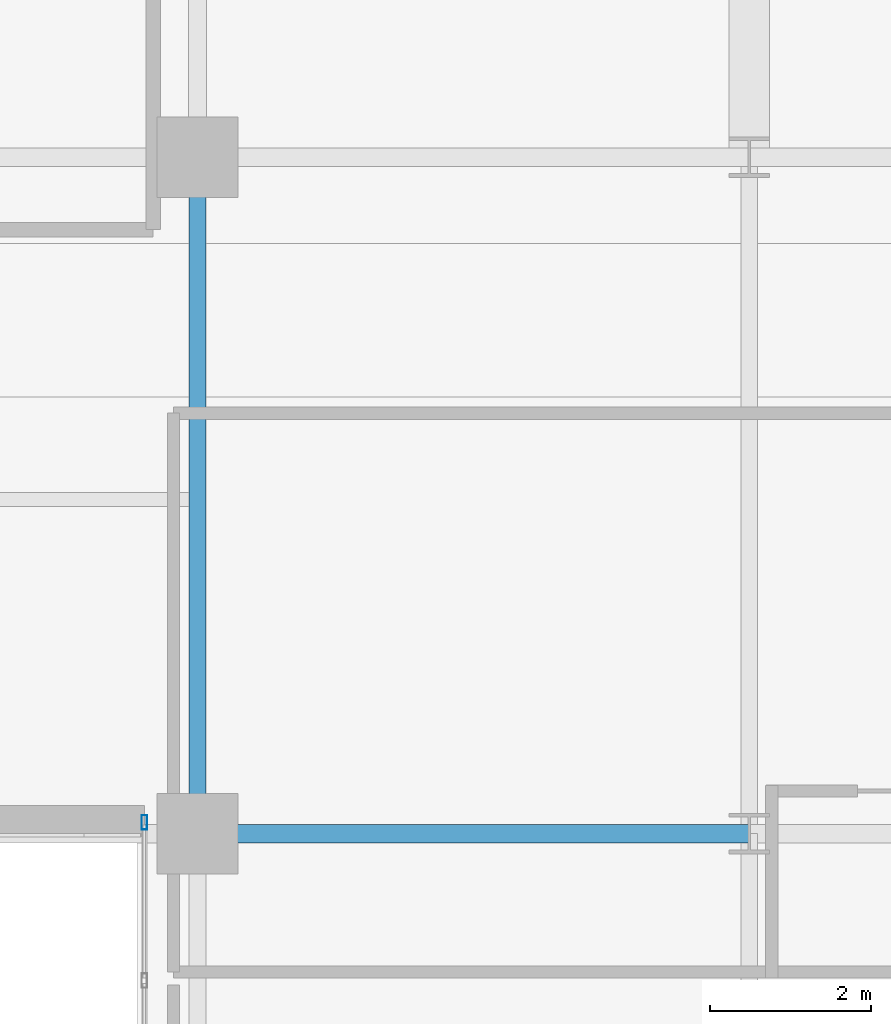
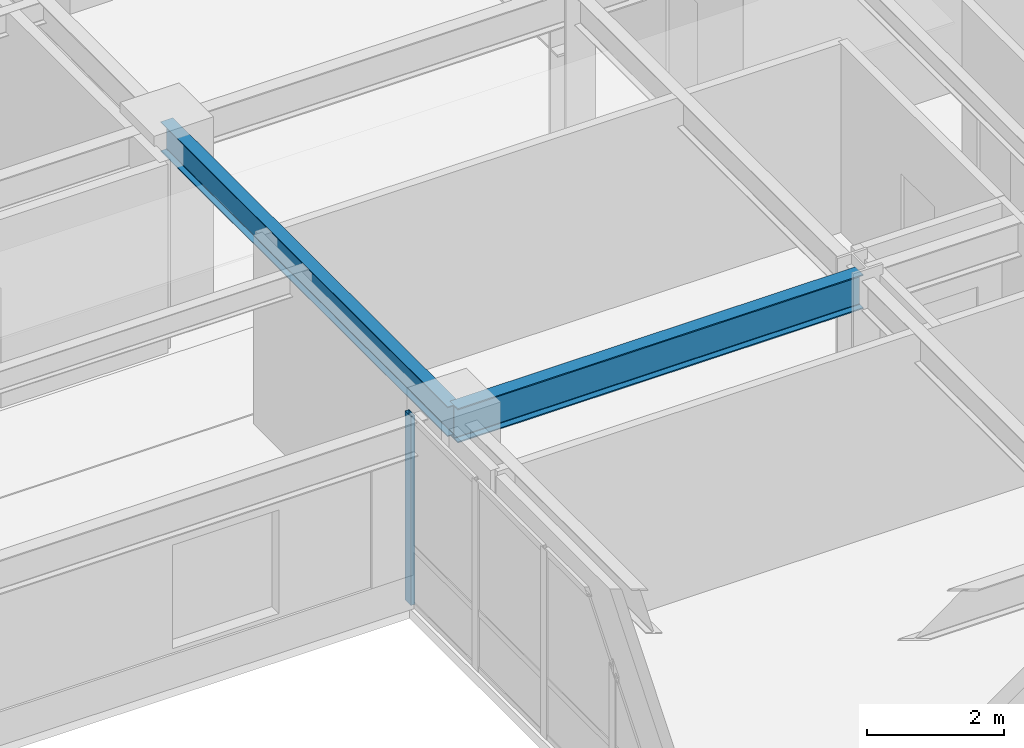
# One storey, part 11 of 25: 2 beams, 1 member, 1 element without a shape of its own.
"""IFC4 building model written with IfcOpenShell, lengths in metres."""

from ifc_helpers import new_model, si_unit, direction, frame, origin, origin_2d, place, context, subcontext, project, spatial, hollow_rectangle, i_section, extrude, source, transform, mapped, material, layer, layer_set, material_profile, profile_set, type_object, type_shapes, element, aggregate, save


model = new_model("IFC4")

# Units and contexts
model_context = context("Model", 3, precision=1e-05, world=origin(), true_north=direction((0.0, 1.0)))
body_context = subcontext(model_context, "Body", "Model", "MODEL_VIEW")
ifc_project = project(units=[si_unit("LENGTHUNIT", "METRE"), si_unit("AREAUNIT", "SQUARE_METRE"), si_unit("VOLUMEUNIT", "CUBIC_METRE"), si_unit("PLANEANGLEUNIT", "RADIAN"), si_unit("MASSUNIT", "GRAM", prefix="KILO")], contexts=[model_context])

# Site, building, storey
site_placement = place(None, origin())
site = spatial("IfcSite", under=ifc_project, at=site_placement, CompositionType="ELEMENT")
building_placement = place(site_placement, origin())
building = spatial("IfcBuilding", under=site, at=building_placement, Name="Tolvann Quenvar Hotel", CompositionType="ELEMENT")
storey_placement = place(building_placement, frame((0.0, 0.0, 39.10009765625)))
storey = spatial("IfcBuildingStorey", under=building, at=storey_placement, Name="L08", CompositionType="ELEMENT", Elevation=39.10009765625)

# Beams
ifc_material_1 = material(Name="Steel Grade 350", Category="steel")
ifc_material_profile_1 = material_profile(ifc_material_1, i_section(OverallWidth=0.22900390625, OverallDepth=0.612060546875, WebThickness=0.011962890625, FlangeThickness=0.01953125, FilletRadius=0.013916015625, at=origin_2d()), Name="610UB125")
ifc_profile_set_1 = profile_set([ifc_material_profile_1], Name="Steel Grade 350")
beam_type_1 = type_object("IfcBeamType", Name="BM_GIRD_610UB125", PredefinedType="BEAM", material=ifc_profile_set_1)
shared_shape_1 = source(origin(), body_context, "Body", "SweptSolid", [
    extrude(i_section(OverallWidth=0.22900390625, OverallDepth=0.612060546875, WebThickness=0.011962890625, FlangeThickness=0.01953125, FilletRadius=0.013916015625, at=origin_2d()), origin(), (0.0, 0.0, 1.0), 6.85009765625),
])
type_shapes(beam_type_1, [shared_shape_1])
beam_1_placement = place(storey_placement, frame((34.949951171875, 16.0, 3.06396484375), z_axis=(1.0, 0.0, 0.0), x_axis=(0.0, 1.0, 0.0)))
element("IfcBeam", 1, at=beam_1_placement, inside=storey, type_object=beam_type_1, Name="BM-L08-EW-4-F4-H4", PredefinedType="BEAM", context=body_context, shape_type="MappedRepresentation", body=[
    mapped(shared_shape_1, transform((0.0, 0.0, 0.0), x_axis=(1.0, 0.0, 0.0), y_axis=(0.0, 1.0, 0.0), z_axis=(0.0, 0.0, 1.0), scale=1.0)),
])
ifc_material_profile_2 = material_profile(ifc_material_1, i_section(OverallWidth=0.208984375, OverallDepth=0.532958984375, WebThickness=0.01025390625, FlangeThickness=0.015625, FilletRadius=0.013916015625, at=origin_2d()), Name="530UB92")
ifc_profile_set_2 = profile_set([ifc_material_profile_2], Name="Steel Grade 350")
beam_type_2 = type_object("IfcBeamType", Name="BM_GIRD_530UB92", PredefinedType="BEAM", material=ifc_profile_set_2)
shared_shape_2 = source(origin(), body_context, "Body", "SweptSolid", [
    extrude(i_section(OverallWidth=0.208984375, OverallDepth=0.532958984375, WebThickness=0.01025390625, FlangeThickness=0.015625, FilletRadius=0.013916015625, at=origin_2d()), origin(), (0.0, 0.0, 1.0), 8.39990234375),
])
type_shapes(beam_type_2, [shared_shape_2])
beam_2_placement = place(storey_placement, frame((34.949951171875, 16.0, 3.103515625), z_axis=(0.0, 1.0, 0.0), x_axis=(-1.0, 0.0, 0.0)))
element("IfcBeam", 2, at=beam_2_placement, inside=storey, type_object=beam_type_2, Name="BM-L08-NS-F4-F5", PredefinedType="BEAM", context=body_context, shape_type="MappedRepresentation", body=[
    mapped(shared_shape_2, transform((0.0, 0.0, 0.0), x_axis=(1.0, 0.0, 0.0), y_axis=(0.0, 1.0, 0.0), z_axis=(0.0, 0.0, 1.0), scale=1.0)),
])

# Curtain wall, member
ifc_material_2 = material(Name="Thermally broken anodised architectural aluminium 6063-T6 and laminated low-E glass", Category="aluminium")
ifc_layer = layer(ifc_material_2, 0.179931640625)
ifc_layer_set = layer_set([ifc_layer], Name="Thermally broken anodised architectural aluminium 6063-T6 and laminated low-E glass")
curtain_wall_type = type_object("IfcCurtainWallType", Name="CW_SYS_SLOT_03", PredefinedType="USERDEFINED", material=ifc_layer_set)
curtain_wall_placement = place(storey_placement, origin())
curtain_wall = element("IfcCurtainWall", 3, at=curtain_wall_placement, inside=storey, type_object=curtain_wall_type, Name="Curtain Wall CW-SLOT-03 (CWR-L08-E07)", ObjectType="UNITISED CURTAIN WALL", PredefinedType="USERDEFINED")
ifc_material_3 = material(Name="Anodised architectural aluminium 6063-T6 framing", Category="aluminium")
ifc_material_profile_3 = material_profile(ifc_material_3, hollow_rectangle(XDim=0.070068359375, YDim=0.179931640625, WallThickness=0.00390625, at=origin_2d()), Name="180x70x4RHS")
ifc_profile_set_3 = profile_set([ifc_material_profile_3], Name="Anodised architectural aluminium 6063-T6 framing")
member_type = type_object("IfcMemberType", Name="CW_MULL_180x70", PredefinedType="MULLION", material=ifc_profile_set_3)
shared_shape_3 = source(origin(), body_context, "Body", "SweptSolid", [
    extrude(hollow_rectangle(XDim=0.070068359375, YDim=0.179931640625, WallThickness=0.00390625, at=origin_2d()), origin(), (0.0, 0.0, 1.0), 3.369873046875),
])
type_shapes(member_type, [shared_shape_3])
member_placement = place(storey_placement, frame((34.2900390625, 16.139892578125, 0.0), z_axis=(0.0, 0.0, 1.0), x_axis=(1.0, 0.0, 0.0)))
member = element("IfcMember", 4, at=member_placement, type_object=member_type, Name="CW-SLOT-03 mullion 1", PredefinedType="MULLION", context=body_context, shape_type="MappedRepresentation", body=[
    mapped(shared_shape_3, transform((0.0, 0.0, 0.0), x_axis=(1.0, 0.0, 0.0), y_axis=(0.0, 1.0, 0.0), z_axis=(0.0, 0.0, 1.0), scale=1.0)),
])
aggregate(curtain_wall, [member])

save(model, "model.ifc")
